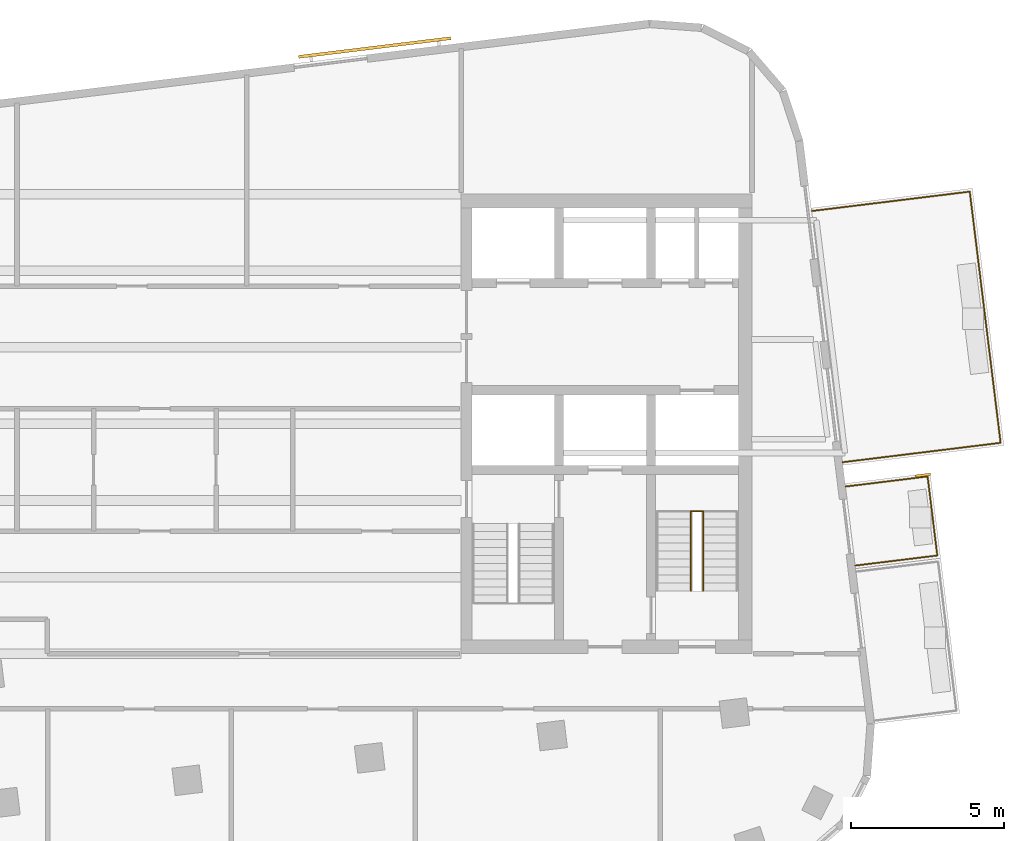
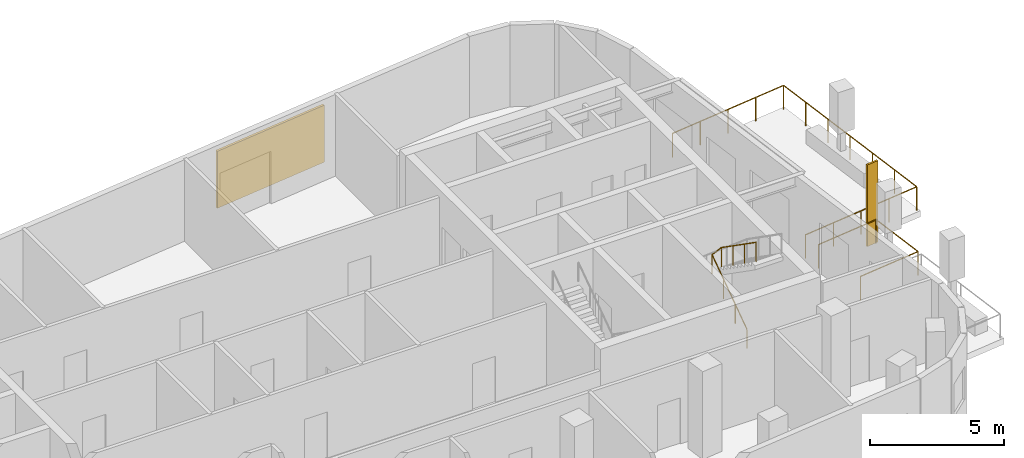
# One storey, part 9 of 10: 3 railings, 2 shading devices.
"""IFC4 building model written with IfcOpenShell, lengths in metres."""

from ifc_helpers import new_model, si_unit, direction, frame, origin, origin_2d, place, context, subcontext, project, spatial, rectangle, circle, extrude, material, layer, layer_set, type_object, element, save


model = new_model("IFC4")

# Units and contexts
model_context = context("Model", 3, precision=1e-05, world=origin(), true_north=direction((0.0, 1.0)))
body_context = subcontext(model_context, "Body", "Model", "MODEL_VIEW")
ifc_project = project(units=[si_unit("LENGTHUNIT", "METRE"), si_unit("AREAUNIT", "SQUARE_METRE"), si_unit("VOLUMEUNIT", "CUBIC_METRE"), si_unit("PLANEANGLEUNIT", "RADIAN"), si_unit("MASSUNIT", "GRAM", prefix="KILO")], contexts=[model_context])

# Site, building, storey
site_placement = place(None, origin())
site = spatial("IfcSite", under=ifc_project, at=site_placement, CompositionType="ELEMENT")
building_placement = place(site_placement, origin())
building = spatial("IfcBuilding", under=site, at=building_placement, Name="Torana Hotel and Residences", CompositionType="ELEMENT")
storey_placement = place(building_placement, frame((0.0, 0.0, 334.60009765625)))
storey = spatial("IfcBuildingStorey", under=building, at=storey_placement, Name="L88", CompositionType="ELEMENT", Elevation=334.60009765625)

# Shading device
ifc_material_1 = material(Name="Black powder coated aluminium", Category="aluminium")
ifc_layer_1 = layer(ifc_material_1, 0.080078125)
ifc_layer_set_1 = layer_set([ifc_layer_1], Name="FN1 VERTICAL FIN 500x80")
shading_device_type_1 = type_object("IfcShadingDeviceType", Name="FN1 VERTICAL FIN 500x80", PredefinedType="USERDEFINED", material=ifc_layer_set_1)
shading_device_1_placement = place(storey_placement, frame((25.075439453125, -9.17431640625, 0.0), z_axis=(0.0, 0.0, 1.0), x_axis=(0.121867611085, -0.992546364342, 0.0)))
element("IfcShadingDevice", 1, at=shading_device_1_placement, inside=storey, type_object=shading_device_type_1, Name="Fin 11", ObjectType="FIN", PredefinedType="USERDEFINED", context=body_context, shape_type="SweptSolid", body=[
    extrude(rectangle(XDim=0.080078125, YDim=0.5, at=origin_2d()), origin(), (0.0, 0.0, 1.0), 3.719970703125),
])

# Railings
ifc_material_2 = material(Name="Laminated glass balustrade with black handrail", Category="glass")
railing_type_1 = type_object("IfcRailingType", Name="GR1 BALCONY GUARD 1100 GLASS", PredefinedType="GUARDRAIL", material=ifc_material_2)
railing_1_placement = place(storey_placement, frame((22.5517578125, -9.544921875, 0.0)))
element("IfcRailing", 2, at=railing_1_placement, inside=storey, type_object=railing_type_1, Name="Balcony guard 11", PredefinedType="GUARDRAIL", context=body_context, shape_type="SweptSolid", body=[
    extrude(circle(Radius=0.02392578125, at=origin_2d()), frame((0.0, 0.0, 1.076171875), z_axis=(0.992544031017, 0.121886613265, 0.0), x_axis=(-0.121886613265, 0.992544031017, 0.0)), (0.0, 0.0, 1.0), 2.699951171875),
    extrude(circle(Radius=0.02392578125, at=origin_2d()), frame((2.679931640625, 0.3291015625, 1.076171875), z_axis=(0.121803653798, -0.992554215104, 0.0), x_axis=(0.992554215104, 0.121803653798, 0.0)), (0.0, 0.0, 1.0), 2.599609375),
    extrude(circle(Radius=0.02392578125, at=origin_2d()), frame((2.99658203125, -2.251220703125, 1.076171875), z_axis=(-0.992554965996, -0.121797534772, 0.0), x_axis=(0.121797534772, -0.992554965996, 0.0)), (0.0, 0.0, 1.0), 2.699951171875),
    extrude(circle(Radius=0.02099609375, at=origin_2d()), origin(), (0.0, 0.0, 1.0), 1.052001953125),
    extrude(circle(Radius=0.02099609375, at=origin_2d()), frame((2.679931640625, 0.3291015625, 0.0)), (0.0, 0.0, 1.0), 1.052001953125),
    extrude(circle(Radius=0.02099609375, at=origin_2d()), frame((2.99658203125, -2.251220703125, 0.0)), (0.0, 0.0, 1.0), 1.052001953125),
    extrude(circle(Radius=0.02099609375, at=origin_2d()), frame((0.316650390625, -2.580078125, 0.0)), (0.0, 0.0, 1.0), 1.052001953125),
])
railing_2_placement = place(storey_placement, frame((21.447265625, -0.54931640625, 0.0)))
element("IfcRailing", 3, at=railing_2_placement, inside=storey, type_object=railing_type_1, Name="Balcony guard 12", PredefinedType="GUARDRAIL", context=body_context, shape_type="SweptSolid", body=[
    extrude(circle(Radius=0.02392578125, at=origin_2d()), frame((0.0, 0.0, 1.076171875), z_axis=(0.992544252483, 0.121884809813, 0.0), x_axis=(-0.121884809813, 0.992544252483, 0.0)), (0.0, 0.0, 1.0), 5.199951171875),
    extrude(circle(Radius=0.02392578125, at=origin_2d()), frame((5.1611328125, 0.6337890625, 1.076171875), z_axis=(0.121878024543, -0.992545085693, 0.0), x_axis=(0.992545085693, 0.121878024543, 0.0)), (0.0, 0.0, 1.0), 8.262939453125),
    extrude(circle(Radius=0.02392578125, at=origin_2d()), frame((6.168212890625, -7.567626953125, 1.076171875), z_axis=(-0.992544949934, -0.121879130128, 0.0), x_axis=(0.121879130128, -0.992544949934, 0.0)), (0.0, 0.0, 1.0), 5.2001953125),
    extrude(circle(Radius=0.02099609375, at=origin_2d()), origin(), (0.0, 0.0, 1.0), 1.052001953125),
    extrude(circle(Radius=0.02099609375, at=origin_2d()), frame((1.290283203125, 0.158447265625, 0.0)), (0.0, 0.0, 1.0), 1.052001953125),
    extrude(circle(Radius=0.02099609375, at=origin_2d()), frame((2.58056640625, 0.31689453125, 0.0)), (0.0, 0.0, 1.0), 1.052001953125),
    extrude(circle(Radius=0.02099609375, at=origin_2d()), frame((3.870849609375, 0.475341796875, 0.0)), (0.0, 0.0, 1.0), 1.052001953125),
    extrude(circle(Radius=0.02099609375, at=origin_2d()), frame((5.1611328125, 0.6337890625, 0.0)), (0.0, 0.0, 1.0), 1.052001953125),
    extrude(circle(Radius=0.02099609375, at=origin_2d()), frame((5.3291015625, -0.733154296875, 0.0)), (0.0, 0.0, 1.0), 1.052001953125),
    extrude(circle(Radius=0.02099609375, at=origin_2d()), frame((5.496826171875, -2.10009765625, 0.0)), (0.0, 0.0, 1.0), 1.052001953125),
    extrude(circle(Radius=0.02099609375, at=origin_2d()), frame((5.66455078125, -3.466796875, 0.0)), (0.0, 0.0, 1.0), 1.052001953125),
    extrude(circle(Radius=0.02099609375, at=origin_2d()), frame((5.83251953125, -4.833740234375, 0.0)), (0.0, 0.0, 1.0), 1.052001953125),
    extrude(circle(Radius=0.02099609375, at=origin_2d()), frame((6.00048828125, -6.20068359375, 0.0)), (0.0, 0.0, 1.0), 1.052001953125),
    extrude(circle(Radius=0.02099609375, at=origin_2d()), frame((6.168212890625, -7.567626953125, 0.0)), (0.0, 0.0, 1.0), 1.052001953125),
    extrude(circle(Radius=0.02099609375, at=origin_2d()), frame((4.8779296875, -7.72607421875, 0.0)), (0.0, 0.0, 1.0), 1.052001953125),
    extrude(circle(Radius=0.02099609375, at=origin_2d()), frame((3.58740234375, -7.884521484375, 0.0)), (0.0, 0.0, 1.0), 1.052001953125),
    extrude(circle(Radius=0.02099609375, at=origin_2d()), frame((2.297119140625, -8.04296875, 0.0)), (0.0, 0.0, 1.0), 1.052001953125),
    extrude(circle(Radius=0.02099609375, at=origin_2d()), frame((1.0068359375, -8.201416015625, 0.0)), (0.0, 0.0, 1.0), 1.052001953125),
])

# Shading device
ifc_material_3 = material(Name="Concrete C40/50 precast", Category="concrete")
ifc_layer_2 = layer(ifc_material_3, 0.10009765625)
ifc_layer_set_2 = layer_set([ifc_layer_2], Name="SC1 PERFORATED BLOCK SCREEN PANEL 100")
shading_device_type_2 = type_object("IfcShadingDeviceType", Name="SC1 PERFORATED BLOCK SCREEN PANEL 100", PredefinedType="USERDEFINED", material=ifc_layer_set_2)
shading_device_2_placement = place(storey_placement, frame((7.177978515625, 4.788818359375, 0.499755859375), z_axis=(0.0, 0.0, 1.0), x_axis=(-0.99254657704, -0.121865878765, 0.0)))
element("IfcShadingDevice", 4, at=shading_device_2_placement, inside=storey, type_object=shading_device_type_2, Name="Perforated block screen L88", ObjectType="SCREEN", PredefinedType="USERDEFINED", context=body_context, shape_type="SweptSolid", body=[
    extrude(rectangle(XDim=5.0, YDim=0.10009765625, at=origin_2d()), origin(), (0.0, 0.0, 1.0), 2.60009765625),
])

# Railing
ifc_material_4 = material(Name="Stainless steel 316", Category="steel")
railing_type_2 = type_object("IfcRailingType", Name="STAIR HANDRAIL HR1 900", PredefinedType="HANDRAIL", material=ifc_material_4)
railing_3_placement = place(storey_placement, frame((17.5, -12.949951171875, 0.181640625)))
element("IfcRailing", 5, at=railing_3_placement, inside=storey, type_object=railing_type_2, Name="Handrail ST4 L88 I1", PredefinedType="HANDRAIL", context=body_context, shape_type="SweptSolid", body=[
    extrude(circle(Radius=0.02392578125, at=origin_2d()), frame((0.0, 0.0, 0.8759765625), z_axis=(0.0, 0.819459612548, 0.573136932506), x_axis=(-1.0, 0.0, 0.0)), (0.0, 0.0, 1.0), 3.172607421875),
    extrude(circle(Radius=0.02392578125, at=origin_2d()), frame((0.0, 2.599853515625, 2.6943359375), z_axis=(0.910480658332, 0.0, 0.413551654334), x_axis=(0.0, 1.0, 0.0)), (0.0, 0.0, 1.0), 0.439208984375),
    extrude(circle(Radius=0.02392578125, at=origin_2d()), frame((0.39990234375, 2.599853515625, 2.8759765625), z_axis=(0.0, -0.819459612548, 0.573136932506), x_axis=(1.0, 0.0, 0.0)), (0.0, 0.0, 1.0), 3.172607421875),
    extrude(circle(Radius=0.02099609375, at=origin_2d()), origin(), (0.0, 0.0, 1.0), 0.851806640625),
    extrude(circle(Radius=0.02099609375, at=origin_2d()), frame((0.0, 0.86669921875, 0.606201171875)), (0.0, 0.0, 1.0), 0.851806640625),
    extrude(circle(Radius=0.02099609375, at=origin_2d()), frame((0.0, 1.733154296875, 1.212158203125)), (0.0, 0.0, 1.0), 0.851806640625),
    extrude(circle(Radius=0.02099609375, at=origin_2d()), frame((0.0, 2.599853515625, 1.818359375)), (0.0, 0.0, 1.0), 0.851806640625),
    extrude(circle(Radius=0.02099609375, at=origin_2d()), frame((0.39990234375, 2.599853515625, 2.0)), (0.0, 0.0, 1.0), 0.851806640625),
    extrude(circle(Radius=0.02099609375, at=origin_2d()), frame((0.39990234375, 1.733154296875, 2.606201171875)), (0.0, 0.0, 1.0), 0.851806640625),
    extrude(circle(Radius=0.02099609375, at=origin_2d()), frame((0.39990234375, 0.86669921875, 3.212158203125)), (0.0, 0.0, 1.0), 0.851806640625),
    extrude(circle(Radius=0.02099609375, at=origin_2d()), frame((0.39990234375, 0.0, 3.818359375)), (0.0, 0.0, 1.0), 0.851806640625),
])

save(model, "model.ifc")
